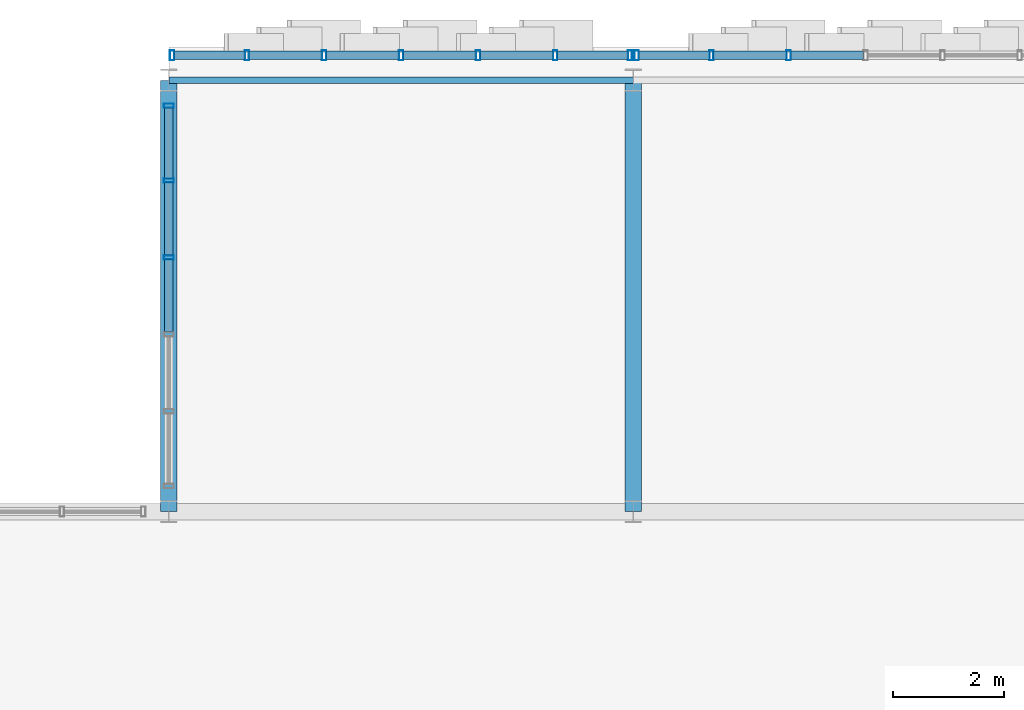
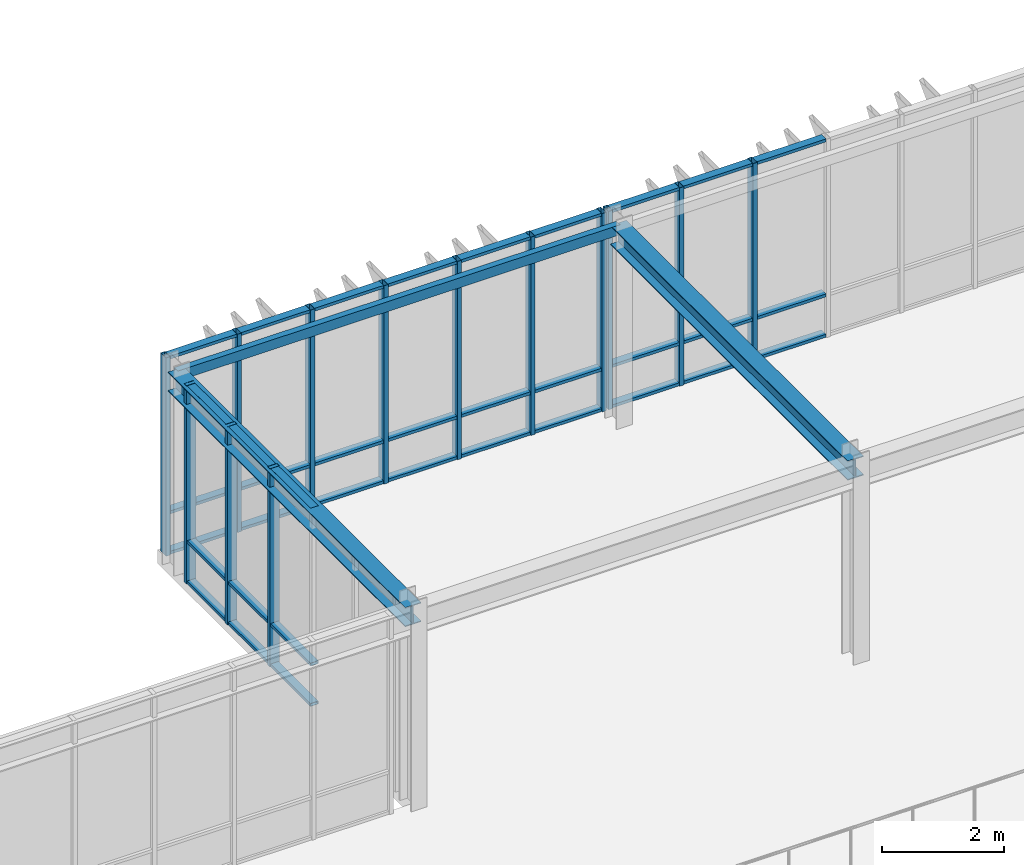
# One storey, part 49 of 123: 49 members, 3 beams, 3 elements without a shape of their own.
"""IFC4 building model written with IfcOpenShell, lengths in metres."""

from ifc_helpers import new_model, si_unit, direction, frame, origin, origin_2d, place, context, subcontext, project, spatial, hollow_rectangle, i_section, extrude, material, layer, layer_set, material_profile, profile_set, type_object, element, aggregate, save


model = new_model("IFC4")

# Units and contexts
model_context = context("Model", 3, precision=1e-05, world=origin(), true_north=direction((0.0, 1.0)))
body_context = subcontext(model_context, "Body", "Model", "MODEL_VIEW")
ifc_project = project(units=[si_unit("LENGTHUNIT", "METRE"), si_unit("AREAUNIT", "SQUARE_METRE"), si_unit("VOLUMEUNIT", "CUBIC_METRE"), si_unit("PLANEANGLEUNIT", "RADIAN"), si_unit("MASSUNIT", "GRAM", prefix="KILO")], contexts=[model_context])

# Site, building, storey
site_placement = place(None, origin())
site = spatial("IfcSite", under=ifc_project, at=site_placement, CompositionType="ELEMENT")
building_placement = place(site_placement, origin())
building = spatial("IfcBuilding", under=site, at=building_placement, Name="Zayran Congress Hotel", CompositionType="ELEMENT")
storey_placement = place(building_placement, frame((0.0, 0.0, 15.0)))
storey = spatial("IfcBuildingStorey", under=building, at=storey_placement, Name="L03", CompositionType="ELEMENT", Elevation=15.0)

# Beams
ifc_material_1 = material(Name="Steel S355", Category="steel")
ifc_material_profile_1 = material_profile(ifc_material_1, i_section(OverallWidth=0.300048828125, OverallDepth=0.389892578125, WebThickness=0.010986328125, FlangeThickness=0.01904296875, at=origin_2d()), Name="HEA 400")
ifc_profile_set_1 = profile_set([ifc_material_profile_1], Name="Steel S355")
beam_type_1 = type_object("IfcBeamType", Name="TP-BM-06", PredefinedType="BEAM", material=ifc_profile_set_1)
for number, where, z_axis, x_axis, name in (
    (1, (58.800048828125, 109.60009765625, 3.784912109375), (0.0, 1.0, 0.0), (-1.0, 0.0, 0.0), "BM-V1-L03-0876"),
    (2, (67.199951171875, 109.60009765625, 3.784912109375), (0.0, 1.0, 0.0), (-1.0, 0.0, 0.0), "BM-V1-L03-0879"),
):
    element("IfcBeam", number, at=place(storey_placement, frame(where, z_axis=z_axis, x_axis=x_axis)), inside=storey, type_object=beam_type_1, Name=name, PredefinedType="BEAM", context=body_context, shape_type="SweptSolid", body=[
        extrude(i_section(OverallWidth=0.300048828125, OverallDepth=0.389892578125, WebThickness=0.010986328125, FlangeThickness=0.01904296875, at=origin_2d()), origin(), (0.0, 0.0, 1.0), 7.7998046875),
    ])
ifc_material_profile_2 = material_profile(ifc_material_1, hollow_rectangle(XDim=0.1201171875, YDim=0.199951171875, WallThickness=0.008056640625, at=origin_2d()), Name="RHS 200x120x8")
ifc_profile_set_2 = profile_set([ifc_material_profile_2], Name="Steel S355")
beam_type_2 = type_object("IfcBeamType", Name="TP-SP-02", PredefinedType="SPANDREL", material=ifc_profile_set_2)
beam_placement = place(storey_placement, frame((58.800048828125, 117.39990234375, 3.8798828125), z_axis=(1.0, 0.0, 0.0), x_axis=(0.0, 1.0, 0.0)))
element("IfcBeam", 3, at=beam_placement, inside=storey, type_object=beam_type_2, Name="BM-V1-L03-0845", PredefinedType="SPANDREL", context=body_context, shape_type="SweptSolid", body=[
    extrude(hollow_rectangle(XDim=0.1201171875, YDim=0.199951171875, WallThickness=0.008056640625, at=origin_2d()), origin(), (0.0, 0.0, 1.0), 8.39990234375),
])

# Curtain wall, members
ifc_material_2 = material(Name="Anodised aluminium and low-E insulated glass", Category="aluminium")
ifc_layer_1 = layer(ifc_material_2, 0.179931640625)
ifc_layer_set_1 = layer_set([ifc_layer_1], Name="Anodised aluminium and low-E insulated glass")
curtain_wall_type_1 = type_object("IfcCurtainWallType", Name="CW-V1N-L03-CW-21-8360-3980", PredefinedType="USERDEFINED", material=ifc_layer_set_1)
curtain_wall_1_placement = place(storey_placement, origin())
curtain_wall_1 = element("IfcCurtainWall", 4, at=curtain_wall_1_placement, inside=storey, type_object=curtain_wall_type_1, Name="CW-V1N-L03-6", ObjectType="CURTAIN WALL", PredefinedType="USERDEFINED")
ifc_material_3 = material(Name="Anodised aluminium framing", Category="aluminium")
ifc_material_profile_3 = material_profile(ifc_material_3, hollow_rectangle(XDim=0.080078125, YDim=0.179931640625, WallThickness=0.0048828125, at=origin_2d()), Name="RHS 180x80x5")
ifc_profile_set_3 = profile_set([ifc_material_profile_3], Name="Anodised aluminium framing")
member_type_1 = type_object("IfcMemberType", Name="TP-CWM-01", PredefinedType="MULLION", material=ifc_profile_set_3)
member_1_placement = place(storey_placement, frame((67.139892578125, 117.85009765625, 0.0), z_axis=(0.0, 0.0, 1.0), x_axis=(1.0, 0.0, 0.0)))
member_1 = element("IfcMember", 5, at=member_1_placement, type_object=member_type_1, Name="CW-V1N-L03-6-M00", PredefinedType="MULLION", context=body_context, shape_type="SweptSolid", body=[
    extrude(hollow_rectangle(XDim=0.080078125, YDim=0.179931640625, WallThickness=0.0048828125, at=origin_2d()), origin(), (0.0, 0.0, 1.0), 3.97998046875),
])
member_2_placement = place(storey_placement, frame((65.78662109375, 117.85009765625, 0.0), z_axis=(0.0, 0.0, 1.0), x_axis=(1.0, 0.0, 0.0)))
member_2 = element("IfcMember", 6, at=member_2_placement, type_object=member_type_1, Name="CW-V1N-L03-6-M01", PredefinedType="MULLION", context=body_context, shape_type="SweptSolid", body=[
    extrude(hollow_rectangle(XDim=0.080078125, YDim=0.179931640625, WallThickness=0.0048828125, at=origin_2d()), origin(), (0.0, 0.0, 1.0), 3.97998046875),
])
member_3_placement = place(storey_placement, frame((64.393310546875, 117.85009765625, 0.0), z_axis=(0.0, 0.0, 1.0), x_axis=(1.0, 0.0, 0.0)))
member_3 = element("IfcMember", 7, at=member_3_placement, type_object=member_type_1, Name="CW-V1N-L03-6-M02", PredefinedType="MULLION", context=body_context, shape_type="SweptSolid", body=[
    extrude(hollow_rectangle(XDim=0.080078125, YDim=0.179931640625, WallThickness=0.0048828125, at=origin_2d()), origin(), (0.0, 0.0, 1.0), 3.97998046875),
])
member_4_placement = place(storey_placement, frame((63.0, 117.85009765625, 0.0), z_axis=(0.0, 0.0, 1.0), x_axis=(1.0, 0.0, 0.0)))
member_4 = element("IfcMember", 8, at=member_4_placement, type_object=member_type_1, Name="CW-V1N-L03-6-M03", PredefinedType="MULLION", context=body_context, shape_type="SweptSolid", body=[
    extrude(hollow_rectangle(XDim=0.080078125, YDim=0.179931640625, WallThickness=0.0048828125, at=origin_2d()), origin(), (0.0, 0.0, 1.0), 3.97998046875),
])
member_5_placement = place(storey_placement, frame((61.606689453125, 117.85009765625, 0.0), z_axis=(0.0, 0.0, 1.0), x_axis=(1.0, 0.0, 0.0)))
member_5 = element("IfcMember", 9, at=member_5_placement, type_object=member_type_1, Name="CW-V1N-L03-6-M04", PredefinedType="MULLION", context=body_context, shape_type="SweptSolid", body=[
    extrude(hollow_rectangle(XDim=0.080078125, YDim=0.179931640625, WallThickness=0.0048828125, at=origin_2d()), origin(), (0.0, 0.0, 1.0), 3.97998046875),
])
member_6_placement = place(storey_placement, frame((60.21337890625, 117.85009765625, 0.0), z_axis=(0.0, 0.0, 1.0), x_axis=(1.0, 0.0, 0.0)))
member_6 = element("IfcMember", 10, at=member_6_placement, type_object=member_type_1, Name="CW-V1N-L03-6-M05", PredefinedType="MULLION", context=body_context, shape_type="SweptSolid", body=[
    extrude(hollow_rectangle(XDim=0.080078125, YDim=0.179931640625, WallThickness=0.0048828125, at=origin_2d()), origin(), (0.0, 0.0, 1.0), 3.97998046875),
])
member_7_placement = place(storey_placement, frame((58.860107421875, 117.85009765625, 0.0), z_axis=(0.0, 0.0, 1.0), x_axis=(1.0, 0.0, 0.0)))
member_7 = element("IfcMember", 11, at=member_7_placement, type_object=member_type_1, Name="CW-V1N-L03-6-M06", PredefinedType="MULLION", context=body_context, shape_type="SweptSolid", body=[
    extrude(hollow_rectangle(XDim=0.080078125, YDim=0.179931640625, WallThickness=0.0048828125, at=origin_2d()), origin(), (0.0, 0.0, 1.0), 3.97998046875),
])

ifc_layer_2 = layer(ifc_material_2, 0.179931640625)
ifc_layer_set_2 = layer_set([ifc_layer_2], Name="Anodised aluminium and low-E insulated glass")
curtain_wall_type_2 = type_object("IfcCurtainWallType", Name="CW-V1N-L03-CW-22-8360-3980", PredefinedType="USERDEFINED", material=ifc_layer_set_2)
curtain_wall_2_placement = place(storey_placement, origin())
curtain_wall_2 = element("IfcCurtainWall", 12, at=curtain_wall_2_placement, inside=storey, type_object=curtain_wall_type_2, Name="CW-V1N-L03-7", ObjectType="CURTAIN WALL", PredefinedType="USERDEFINED")
member_8_placement = place(storey_placement, frame((70.006591796875, 117.85009765625, 0.0), z_axis=(0.0, 0.0, 1.0), x_axis=(1.0, 0.0, 0.0)))
member_8 = element("IfcMember", 13, at=member_8_placement, type_object=member_type_1, Name="CW-V1N-L03-7-M04", PredefinedType="MULLION", context=body_context, shape_type="SweptSolid", body=[
    extrude(hollow_rectangle(XDim=0.080078125, YDim=0.179931640625, WallThickness=0.0048828125, at=origin_2d()), origin(), (0.0, 0.0, 1.0), 3.97998046875),
])
member_9_placement = place(storey_placement, frame((68.61328125, 117.85009765625, 0.0), z_axis=(0.0, 0.0, 1.0), x_axis=(1.0, 0.0, 0.0)))
member_9 = element("IfcMember", 14, at=member_9_placement, type_object=member_type_1, Name="CW-V1N-L03-7-M05", PredefinedType="MULLION", context=body_context, shape_type="SweptSolid", body=[
    extrude(hollow_rectangle(XDim=0.080078125, YDim=0.179931640625, WallThickness=0.0048828125, at=origin_2d()), origin(), (0.0, 0.0, 1.0), 3.97998046875),
])
member_10_placement = place(storey_placement, frame((67.260009765625, 117.85009765625, 0.0), z_axis=(0.0, 0.0, 1.0), x_axis=(1.0, 0.0, 0.0)))
member_10 = element("IfcMember", 15, at=member_10_placement, type_object=member_type_1, Name="CW-V1N-L03-7-M06", PredefinedType="MULLION", context=body_context, shape_type="SweptSolid", body=[
    extrude(hollow_rectangle(XDim=0.080078125, YDim=0.179931640625, WallThickness=0.0048828125, at=origin_2d()), origin(), (0.0, 0.0, 1.0), 3.97998046875),
])

ifc_layer_3 = layer(ifc_material_2, 0.179931640625)
ifc_layer_set_3 = layer_set([ifc_layer_3], Name="Anodised aluminium and low-E insulated glass")
curtain_wall_type_3 = type_object("IfcCurtainWallType", Name="CW-V1NE-L03-CW-25-6960-3980", PredefinedType="USERDEFINED", material=ifc_layer_set_3)
curtain_wall_3_placement = place(storey_placement, origin())
curtain_wall_3 = element("IfcCurtainWall", 16, at=curtain_wall_3_placement, inside=storey, type_object=curtain_wall_type_3, Name="CW-V1NE-L03", ObjectType="CURTAIN WALL", PredefinedType="USERDEFINED")
member_11_placement = place(storey_placement, frame((58.800048828125, 116.93994140625, 0.0), z_axis=(0.0, 0.0, 1.0), x_axis=(0.0, 1.0, 0.0)))
member_11 = element("IfcMember", 17, at=member_11_placement, type_object=member_type_1, Name="CW-V1NE-L03-M00", PredefinedType="MULLION", context=body_context, shape_type="SweptSolid", body=[
    extrude(hollow_rectangle(XDim=0.080078125, YDim=0.179931640625, WallThickness=0.0048828125, at=origin_2d()), origin(), (0.0, 0.0, 1.0), 3.97998046875),
])
member_12_placement = place(storey_placement, frame((58.800048828125, 115.587890625, 0.0), z_axis=(0.0, 0.0, 1.0), x_axis=(0.0, 1.0, 0.0)))
member_12 = element("IfcMember", 18, at=member_12_placement, type_object=member_type_1, Name="CW-V1NE-L03-M01", PredefinedType="MULLION", context=body_context, shape_type="SweptSolid", body=[
    extrude(hollow_rectangle(XDim=0.080078125, YDim=0.179931640625, WallThickness=0.0048828125, at=origin_2d()), origin(), (0.0, 0.0, 1.0), 3.97998046875),
])
member_13_placement = place(storey_placement, frame((58.800048828125, 114.196044921875, 0.0), z_axis=(0.0, 0.0, 1.0), x_axis=(0.0, 1.0, 0.0)))
member_13 = element("IfcMember", 19, at=member_13_placement, type_object=member_type_1, Name="CW-V1NE-L03-M02", PredefinedType="MULLION", context=body_context, shape_type="SweptSolid", body=[
    extrude(hollow_rectangle(XDim=0.080078125, YDim=0.179931640625, WallThickness=0.0048828125, at=origin_2d()), origin(), (0.0, 0.0, 1.0), 3.97998046875),
])

# Member
ifc_material_profile_4 = material_profile(ifc_material_3, hollow_rectangle(XDim=0.06005859375, YDim=0.14990234375, WallThickness=0.00390625, at=origin_2d()), Name="RHS 150x60x4")
ifc_profile_set_4 = profile_set([ifc_material_profile_4], Name="Anodised aluminium framing")
member_type_2 = type_object("IfcMemberType", Name="TP-CWT-01", PredefinedType="USERDEFINED", material=ifc_profile_set_4)
member_14_placement = place(storey_placement, frame((67.10009765625, 117.85009765625, 0.030029296875), z_axis=(-1.0, 0.0, 0.0), x_axis=(0.0, 0.0, 1.0)))
member_14 = element("IfcMember", 20, at=member_14_placement, type_object=member_type_2, Name="CW-V1N-L03-6-T00-0", ObjectType="TRANSOM", PredefinedType="USERDEFINED", context=body_context, shape_type="SweptSolid", body=[
    extrude(hollow_rectangle(XDim=0.06005859375, YDim=0.14990234375, WallThickness=0.00390625, at=origin_2d()), origin(), (0.0, 0.0, 1.0), 1.2734375),
])

member_15_placement = place(storey_placement, frame((67.10009765625, 117.85009765625, 0.840087890625), z_axis=(-1.0, 0.0, 0.0), x_axis=(0.0, 0.0, 1.0)))
member_15 = element("IfcMember", 21, at=member_15_placement, type_object=member_type_2, Name="CW-V1N-L03-6-T00-1", ObjectType="TRANSOM", PredefinedType="USERDEFINED", context=body_context, shape_type="SweptSolid", body=[
    extrude(hollow_rectangle(XDim=0.06005859375, YDim=0.14990234375, WallThickness=0.00390625, at=origin_2d()), origin(), (0.0, 0.0, 1.0), 1.2734375),
])

member_16_placement = place(storey_placement, frame((67.10009765625, 117.85009765625, 3.949951171875), z_axis=(-1.0, 0.0, 0.0), x_axis=(0.0, 0.0, 1.0)))
member_16 = element("IfcMember", 22, at=member_16_placement, type_object=member_type_2, Name="CW-V1N-L03-6-T00-2", ObjectType="TRANSOM", PredefinedType="USERDEFINED", context=body_context, shape_type="SweptSolid", body=[
    extrude(hollow_rectangle(XDim=0.06005859375, YDim=0.14990234375, WallThickness=0.00390625, at=origin_2d()), origin(), (0.0, 0.0, 1.0), 1.2734375),
])

member_17_placement = place(storey_placement, frame((65.74658203125, 117.85009765625, 0.030029296875), z_axis=(-1.0, 0.0, 0.0), x_axis=(0.0, 0.0, 1.0)))
member_17 = element("IfcMember", 23, at=member_17_placement, type_object=member_type_2, Name="CW-V1N-L03-6-T01-0", ObjectType="TRANSOM", PredefinedType="USERDEFINED", context=body_context, shape_type="SweptSolid", body=[
    extrude(hollow_rectangle(XDim=0.06005859375, YDim=0.14990234375, WallThickness=0.00390625, at=origin_2d()), origin(), (0.0, 0.0, 1.0), 1.313232421875),
])

member_18_placement = place(storey_placement, frame((65.74658203125, 117.85009765625, 0.840087890625), z_axis=(-1.0, 0.0, 0.0), x_axis=(0.0, 0.0, 1.0)))
member_18 = element("IfcMember", 24, at=member_18_placement, type_object=member_type_2, Name="CW-V1N-L03-6-T01-1", ObjectType="TRANSOM", PredefinedType="USERDEFINED", context=body_context, shape_type="SweptSolid", body=[
    extrude(hollow_rectangle(XDim=0.06005859375, YDim=0.14990234375, WallThickness=0.00390625, at=origin_2d()), origin(), (0.0, 0.0, 1.0), 1.313232421875),
])

member_19_placement = place(storey_placement, frame((65.74658203125, 117.85009765625, 3.949951171875), z_axis=(-1.0, 0.0, 0.0), x_axis=(0.0, 0.0, 1.0)))
member_19 = element("IfcMember", 25, at=member_19_placement, type_object=member_type_2, Name="CW-V1N-L03-6-T01-2", ObjectType="TRANSOM", PredefinedType="USERDEFINED", context=body_context, shape_type="SweptSolid", body=[
    extrude(hollow_rectangle(XDim=0.06005859375, YDim=0.14990234375, WallThickness=0.00390625, at=origin_2d()), origin(), (0.0, 0.0, 1.0), 1.313232421875),
])

member_20_placement = place(storey_placement, frame((64.353271484375, 117.85009765625, 0.030029296875), z_axis=(-1.0, 0.0, 0.0), x_axis=(0.0, 0.0, 1.0)))
member_20 = element("IfcMember", 26, at=member_20_placement, type_object=member_type_2, Name="CW-V1N-L03-6-T02-0", ObjectType="TRANSOM", PredefinedType="USERDEFINED", context=body_context, shape_type="SweptSolid", body=[
    extrude(hollow_rectangle(XDim=0.06005859375, YDim=0.14990234375, WallThickness=0.00390625, at=origin_2d()), origin(), (0.0, 0.0, 1.0), 1.313232421875),
])

member_21_placement = place(storey_placement, frame((64.353271484375, 117.85009765625, 0.840087890625), z_axis=(-1.0, 0.0, 0.0), x_axis=(0.0, 0.0, 1.0)))
member_21 = element("IfcMember", 27, at=member_21_placement, type_object=member_type_2, Name="CW-V1N-L03-6-T02-1", ObjectType="TRANSOM", PredefinedType="USERDEFINED", context=body_context, shape_type="SweptSolid", body=[
    extrude(hollow_rectangle(XDim=0.06005859375, YDim=0.14990234375, WallThickness=0.00390625, at=origin_2d()), origin(), (0.0, 0.0, 1.0), 1.313232421875),
])

member_22_placement = place(storey_placement, frame((64.353271484375, 117.85009765625, 3.949951171875), z_axis=(-1.0, 0.0, 0.0), x_axis=(0.0, 0.0, 1.0)))
member_22 = element("IfcMember", 28, at=member_22_placement, type_object=member_type_2, Name="CW-V1N-L03-6-T02-2", ObjectType="TRANSOM", PredefinedType="USERDEFINED", context=body_context, shape_type="SweptSolid", body=[
    extrude(hollow_rectangle(XDim=0.06005859375, YDim=0.14990234375, WallThickness=0.00390625, at=origin_2d()), origin(), (0.0, 0.0, 1.0), 1.313232421875),
])

member_23_placement = place(storey_placement, frame((62.9599609375, 117.85009765625, 0.030029296875), z_axis=(-1.0, 0.0, 0.0), x_axis=(0.0, 0.0, 1.0)))
member_23 = element("IfcMember", 29, at=member_23_placement, type_object=member_type_2, Name="CW-V1N-L03-6-T03-0", ObjectType="TRANSOM", PredefinedType="USERDEFINED", context=body_context, shape_type="SweptSolid", body=[
    extrude(hollow_rectangle(XDim=0.06005859375, YDim=0.14990234375, WallThickness=0.00390625, at=origin_2d()), origin(), (0.0, 0.0, 1.0), 1.313232421875),
])

member_24_placement = place(storey_placement, frame((62.9599609375, 117.85009765625, 0.840087890625), z_axis=(-1.0, 0.0, 0.0), x_axis=(0.0, 0.0, 1.0)))
member_24 = element("IfcMember", 30, at=member_24_placement, type_object=member_type_2, Name="CW-V1N-L03-6-T03-1", ObjectType="TRANSOM", PredefinedType="USERDEFINED", context=body_context, shape_type="SweptSolid", body=[
    extrude(hollow_rectangle(XDim=0.06005859375, YDim=0.14990234375, WallThickness=0.00390625, at=origin_2d()), origin(), (0.0, 0.0, 1.0), 1.313232421875),
])

member_25_placement = place(storey_placement, frame((62.9599609375, 117.85009765625, 3.949951171875), z_axis=(-1.0, 0.0, 0.0), x_axis=(0.0, 0.0, 1.0)))
member_25 = element("IfcMember", 31, at=member_25_placement, type_object=member_type_2, Name="CW-V1N-L03-6-T03-2", ObjectType="TRANSOM", PredefinedType="USERDEFINED", context=body_context, shape_type="SweptSolid", body=[
    extrude(hollow_rectangle(XDim=0.06005859375, YDim=0.14990234375, WallThickness=0.00390625, at=origin_2d()), origin(), (0.0, 0.0, 1.0), 1.313232421875),
])

member_26_placement = place(storey_placement, frame((61.566650390625, 117.85009765625, 0.030029296875), z_axis=(-1.0, 0.0, 0.0), x_axis=(0.0, 0.0, 1.0)))
member_26 = element("IfcMember", 32, at=member_26_placement, type_object=member_type_2, Name="CW-V1N-L03-6-T04-0", ObjectType="TRANSOM", PredefinedType="USERDEFINED", context=body_context, shape_type="SweptSolid", body=[
    extrude(hollow_rectangle(XDim=0.06005859375, YDim=0.14990234375, WallThickness=0.00390625, at=origin_2d()), origin(), (0.0, 0.0, 1.0), 1.313232421875),
])

member_27_placement = place(storey_placement, frame((61.566650390625, 117.85009765625, 0.840087890625), z_axis=(-1.0, 0.0, 0.0), x_axis=(0.0, 0.0, 1.0)))
member_27 = element("IfcMember", 33, at=member_27_placement, type_object=member_type_2, Name="CW-V1N-L03-6-T04-1", ObjectType="TRANSOM", PredefinedType="USERDEFINED", context=body_context, shape_type="SweptSolid", body=[
    extrude(hollow_rectangle(XDim=0.06005859375, YDim=0.14990234375, WallThickness=0.00390625, at=origin_2d()), origin(), (0.0, 0.0, 1.0), 1.313232421875),
])

member_28_placement = place(storey_placement, frame((61.566650390625, 117.85009765625, 3.949951171875), z_axis=(-1.0, 0.0, 0.0), x_axis=(0.0, 0.0, 1.0)))
member_28 = element("IfcMember", 34, at=member_28_placement, type_object=member_type_2, Name="CW-V1N-L03-6-T04-2", ObjectType="TRANSOM", PredefinedType="USERDEFINED", context=body_context, shape_type="SweptSolid", body=[
    extrude(hollow_rectangle(XDim=0.06005859375, YDim=0.14990234375, WallThickness=0.00390625, at=origin_2d()), origin(), (0.0, 0.0, 1.0), 1.313232421875),
])

member_29_placement = place(storey_placement, frame((60.17333984375, 117.85009765625, 0.030029296875), z_axis=(-1.0, 0.0, 0.0), x_axis=(0.0, 0.0, 1.0)))
member_29 = element("IfcMember", 35, at=member_29_placement, type_object=member_type_2, Name="CW-V1N-L03-6-T05-0", ObjectType="TRANSOM", PredefinedType="USERDEFINED", context=body_context, shape_type="SweptSolid", body=[
    extrude(hollow_rectangle(XDim=0.06005859375, YDim=0.14990234375, WallThickness=0.00390625, at=origin_2d()), origin(), (0.0, 0.0, 1.0), 1.2734375),
])

member_30_placement = place(storey_placement, frame((60.17333984375, 117.85009765625, 0.840087890625), z_axis=(-1.0, 0.0, 0.0), x_axis=(0.0, 0.0, 1.0)))
member_30 = element("IfcMember", 36, at=member_30_placement, type_object=member_type_2, Name="CW-V1N-L03-6-T05-1", ObjectType="TRANSOM", PredefinedType="USERDEFINED", context=body_context, shape_type="SweptSolid", body=[
    extrude(hollow_rectangle(XDim=0.06005859375, YDim=0.14990234375, WallThickness=0.00390625, at=origin_2d()), origin(), (0.0, 0.0, 1.0), 1.2734375),
])

member_31_placement = place(storey_placement, frame((60.17333984375, 117.85009765625, 3.949951171875), z_axis=(-1.0, 0.0, 0.0), x_axis=(0.0, 0.0, 1.0)))
member_31 = element("IfcMember", 37, at=member_31_placement, type_object=member_type_2, Name="CW-V1N-L03-6-T05-2", ObjectType="TRANSOM", PredefinedType="USERDEFINED", context=body_context, shape_type="SweptSolid", body=[
    extrude(hollow_rectangle(XDim=0.06005859375, YDim=0.14990234375, WallThickness=0.00390625, at=origin_2d()), origin(), (0.0, 0.0, 1.0), 1.2734375),
])

aggregate(curtain_wall_1, [member_1, member_2, member_3, member_4, member_5, member_6, member_7, member_14, member_15, member_16, member_17, member_18, member_19, member_20, member_21, member_22, member_23, member_24, member_25, member_26, member_27, member_28, member_29, member_30, member_31])

member_32_placement = place(storey_placement, frame((71.360107421875, 117.85009765625, 0.030029296875), z_axis=(-1.0, 0.0, 0.0), x_axis=(0.0, 0.0, 1.0)))
member_32 = element("IfcMember", 38, at=member_32_placement, type_object=member_type_2, Name="CW-V1N-L03-7-T03-0", ObjectType="TRANSOM", PredefinedType="USERDEFINED", context=body_context, shape_type="SweptSolid", body=[
    extrude(hollow_rectangle(XDim=0.06005859375, YDim=0.14990234375, WallThickness=0.00390625, at=origin_2d()), origin(), (0.0, 0.0, 1.0), 1.3134765625),
])

member_33_placement = place(storey_placement, frame((71.360107421875, 117.85009765625, 0.840087890625), z_axis=(-1.0, 0.0, 0.0), x_axis=(0.0, 0.0, 1.0)))
member_33 = element("IfcMember", 39, at=member_33_placement, type_object=member_type_2, Name="CW-V1N-L03-7-T03-1", ObjectType="TRANSOM", PredefinedType="USERDEFINED", context=body_context, shape_type="SweptSolid", body=[
    extrude(hollow_rectangle(XDim=0.06005859375, YDim=0.14990234375, WallThickness=0.00390625, at=origin_2d()), origin(), (0.0, 0.0, 1.0), 1.3134765625),
])

member_34_placement = place(storey_placement, frame((71.360107421875, 117.85009765625, 3.949951171875), z_axis=(-1.0, 0.0, 0.0), x_axis=(0.0, 0.0, 1.0)))
member_34 = element("IfcMember", 40, at=member_34_placement, type_object=member_type_2, Name="CW-V1N-L03-7-T03-2", ObjectType="TRANSOM", PredefinedType="USERDEFINED", context=body_context, shape_type="SweptSolid", body=[
    extrude(hollow_rectangle(XDim=0.06005859375, YDim=0.14990234375, WallThickness=0.00390625, at=origin_2d()), origin(), (0.0, 0.0, 1.0), 1.3134765625),
])

member_35_placement = place(storey_placement, frame((69.966796875, 117.85009765625, 0.030029296875), z_axis=(-1.0, 0.0, 0.0), x_axis=(0.0, 0.0, 1.0)))
member_35 = element("IfcMember", 41, at=member_35_placement, type_object=member_type_2, Name="CW-V1N-L03-7-T04-0", ObjectType="TRANSOM", PredefinedType="USERDEFINED", context=body_context, shape_type="SweptSolid", body=[
    extrude(hollow_rectangle(XDim=0.06005859375, YDim=0.14990234375, WallThickness=0.00390625, at=origin_2d()), origin(), (0.0, 0.0, 1.0), 1.3134765625),
])

member_36_placement = place(storey_placement, frame((69.966796875, 117.85009765625, 0.840087890625), z_axis=(-1.0, 0.0, 0.0), x_axis=(0.0, 0.0, 1.0)))
member_36 = element("IfcMember", 42, at=member_36_placement, type_object=member_type_2, Name="CW-V1N-L03-7-T04-1", ObjectType="TRANSOM", PredefinedType="USERDEFINED", context=body_context, shape_type="SweptSolid", body=[
    extrude(hollow_rectangle(XDim=0.06005859375, YDim=0.14990234375, WallThickness=0.00390625, at=origin_2d()), origin(), (0.0, 0.0, 1.0), 1.3134765625),
])

member_37_placement = place(storey_placement, frame((69.966796875, 117.85009765625, 3.949951171875), z_axis=(-1.0, 0.0, 0.0), x_axis=(0.0, 0.0, 1.0)))
member_37 = element("IfcMember", 43, at=member_37_placement, type_object=member_type_2, Name="CW-V1N-L03-7-T04-2", ObjectType="TRANSOM", PredefinedType="USERDEFINED", context=body_context, shape_type="SweptSolid", body=[
    extrude(hollow_rectangle(XDim=0.06005859375, YDim=0.14990234375, WallThickness=0.00390625, at=origin_2d()), origin(), (0.0, 0.0, 1.0), 1.3134765625),
])

member_38_placement = place(storey_placement, frame((68.5732421875, 117.85009765625, 0.030029296875), z_axis=(-1.0, 0.0, 0.0), x_axis=(0.0, 0.0, 1.0)))
member_38 = element("IfcMember", 44, at=member_38_placement, type_object=member_type_2, Name="CW-V1N-L03-7-T05-0", ObjectType="TRANSOM", PredefinedType="USERDEFINED", context=body_context, shape_type="SweptSolid", body=[
    extrude(hollow_rectangle(XDim=0.06005859375, YDim=0.14990234375, WallThickness=0.00390625, at=origin_2d()), origin(), (0.0, 0.0, 1.0), 1.273193359375),
])

member_39_placement = place(storey_placement, frame((68.5732421875, 117.85009765625, 0.840087890625), z_axis=(-1.0, 0.0, 0.0), x_axis=(0.0, 0.0, 1.0)))
member_39 = element("IfcMember", 45, at=member_39_placement, type_object=member_type_2, Name="CW-V1N-L03-7-T05-1", ObjectType="TRANSOM", PredefinedType="USERDEFINED", context=body_context, shape_type="SweptSolid", body=[
    extrude(hollow_rectangle(XDim=0.06005859375, YDim=0.14990234375, WallThickness=0.00390625, at=origin_2d()), origin(), (0.0, 0.0, 1.0), 1.273193359375),
])

member_40_placement = place(storey_placement, frame((68.5732421875, 117.85009765625, 3.949951171875), z_axis=(-1.0, 0.0, 0.0), x_axis=(0.0, 0.0, 1.0)))
member_40 = element("IfcMember", 46, at=member_40_placement, type_object=member_type_2, Name="CW-V1N-L03-7-T05-2", ObjectType="TRANSOM", PredefinedType="USERDEFINED", context=body_context, shape_type="SweptSolid", body=[
    extrude(hollow_rectangle(XDim=0.06005859375, YDim=0.14990234375, WallThickness=0.00390625, at=origin_2d()), origin(), (0.0, 0.0, 1.0), 1.273193359375),
])

aggregate(curtain_wall_2, [member_8, member_9, member_10, member_32, member_33, member_34, member_35, member_36, member_37, member_38, member_39, member_40])

member_41_placement = place(storey_placement, frame((58.800048828125, 116.89990234375, 0.030029296875), z_axis=(0.0, -1.0, 0.0), x_axis=(0.0, 0.0, 1.0)))
member_41 = element("IfcMember", 47, at=member_41_placement, type_object=member_type_2, Name="CW-V1NE-L03-T00-0", ObjectType="TRANSOM", PredefinedType="USERDEFINED", context=body_context, shape_type="SweptSolid", body=[
    extrude(hollow_rectangle(XDim=0.06005859375, YDim=0.14990234375, WallThickness=0.00390625, at=origin_2d()), origin(), (0.0, 0.0, 1.0), 1.27197265625),
])

member_42_placement = place(storey_placement, frame((58.800048828125, 116.89990234375, 0.840087890625), z_axis=(0.0, -1.0, 0.0), x_axis=(0.0, 0.0, 1.0)))
member_42 = element("IfcMember", 48, at=member_42_placement, type_object=member_type_2, Name="CW-V1NE-L03-T00-1", ObjectType="TRANSOM", PredefinedType="USERDEFINED", context=body_context, shape_type="SweptSolid", body=[
    extrude(hollow_rectangle(XDim=0.06005859375, YDim=0.14990234375, WallThickness=0.00390625, at=origin_2d()), origin(), (0.0, 0.0, 1.0), 1.27197265625),
])

member_43_placement = place(storey_placement, frame((58.800048828125, 116.89990234375, 3.949951171875), z_axis=(0.0, -1.0, 0.0), x_axis=(0.0, 0.0, 1.0)))
member_43 = element("IfcMember", 49, at=member_43_placement, type_object=member_type_2, Name="CW-V1NE-L03-T00-2", ObjectType="TRANSOM", PredefinedType="USERDEFINED", context=body_context, shape_type="SweptSolid", body=[
    extrude(hollow_rectangle(XDim=0.06005859375, YDim=0.14990234375, WallThickness=0.00390625, at=origin_2d()), origin(), (0.0, 0.0, 1.0), 1.27197265625),
])

member_44_placement = place(storey_placement, frame((58.800048828125, 115.548095703125, 0.030029296875), z_axis=(0.0, -1.0, 0.0), x_axis=(0.0, 0.0, 1.0)))
member_44 = element("IfcMember", 50, at=member_44_placement, type_object=member_type_2, Name="CW-V1NE-L03-T01-0", ObjectType="TRANSOM", PredefinedType="USERDEFINED", context=body_context, shape_type="SweptSolid", body=[
    extrude(hollow_rectangle(XDim=0.06005859375, YDim=0.14990234375, WallThickness=0.00390625, at=origin_2d()), origin(), (0.0, 0.0, 1.0), 1.31201171875),
])

member_45_placement = place(storey_placement, frame((58.800048828125, 115.548095703125, 0.840087890625), z_axis=(0.0, -1.0, 0.0), x_axis=(0.0, 0.0, 1.0)))
member_45 = element("IfcMember", 51, at=member_45_placement, type_object=member_type_2, Name="CW-V1NE-L03-T01-1", ObjectType="TRANSOM", PredefinedType="USERDEFINED", context=body_context, shape_type="SweptSolid", body=[
    extrude(hollow_rectangle(XDim=0.06005859375, YDim=0.14990234375, WallThickness=0.00390625, at=origin_2d()), origin(), (0.0, 0.0, 1.0), 1.31201171875),
])

member_46_placement = place(storey_placement, frame((58.800048828125, 115.548095703125, 3.949951171875), z_axis=(0.0, -1.0, 0.0), x_axis=(0.0, 0.0, 1.0)))
member_46 = element("IfcMember", 52, at=member_46_placement, type_object=member_type_2, Name="CW-V1NE-L03-T01-2", ObjectType="TRANSOM", PredefinedType="USERDEFINED", context=body_context, shape_type="SweptSolid", body=[
    extrude(hollow_rectangle(XDim=0.06005859375, YDim=0.14990234375, WallThickness=0.00390625, at=origin_2d()), origin(), (0.0, 0.0, 1.0), 1.31201171875),
])

member_47_placement = place(storey_placement, frame((58.800048828125, 114.156005859375, 0.030029296875), z_axis=(0.0, -1.0, 0.0), x_axis=(0.0, 0.0, 1.0)))
member_47 = element("IfcMember", 53, at=member_47_placement, type_object=member_type_2, Name="CW-V1NE-L03-T02-0", ObjectType="TRANSOM", PredefinedType="USERDEFINED", context=body_context, shape_type="SweptSolid", body=[
    extrude(hollow_rectangle(XDim=0.06005859375, YDim=0.14990234375, WallThickness=0.00390625, at=origin_2d()), origin(), (0.0, 0.0, 1.0), 1.31201171875),
])

member_48_placement = place(storey_placement, frame((58.800048828125, 114.156005859375, 0.840087890625), z_axis=(0.0, -1.0, 0.0), x_axis=(0.0, 0.0, 1.0)))
member_48 = element("IfcMember", 54, at=member_48_placement, type_object=member_type_2, Name="CW-V1NE-L03-T02-1", ObjectType="TRANSOM", PredefinedType="USERDEFINED", context=body_context, shape_type="SweptSolid", body=[
    extrude(hollow_rectangle(XDim=0.06005859375, YDim=0.14990234375, WallThickness=0.00390625, at=origin_2d()), origin(), (0.0, 0.0, 1.0), 1.31201171875),
])

member_49_placement = place(storey_placement, frame((58.800048828125, 114.156005859375, 3.949951171875), z_axis=(0.0, -1.0, 0.0), x_axis=(0.0, 0.0, 1.0)))
member_49 = element("IfcMember", 55, at=member_49_placement, type_object=member_type_2, Name="CW-V1NE-L03-T02-2", ObjectType="TRANSOM", PredefinedType="USERDEFINED", context=body_context, shape_type="SweptSolid", body=[
    extrude(hollow_rectangle(XDim=0.06005859375, YDim=0.14990234375, WallThickness=0.00390625, at=origin_2d()), origin(), (0.0, 0.0, 1.0), 1.31201171875),
])

aggregate(curtain_wall_3, [member_11, member_12, member_13, member_41, member_42, member_43, member_44, member_45, member_46, member_47, member_48, member_49])

save(model, "model.ifc")
